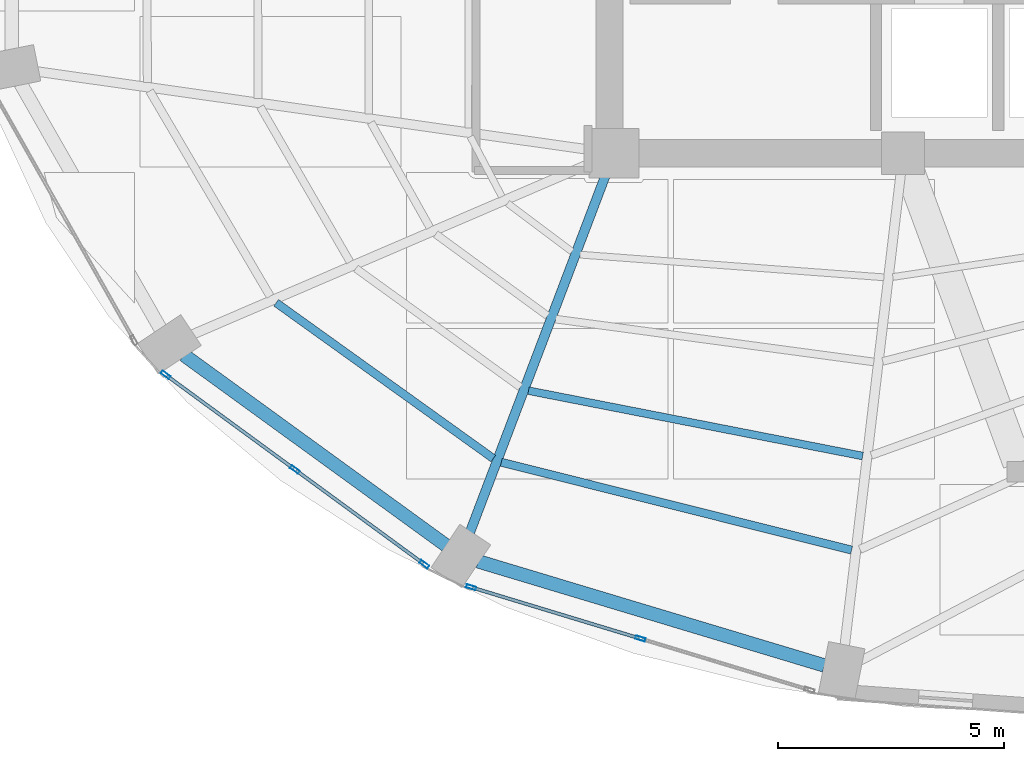
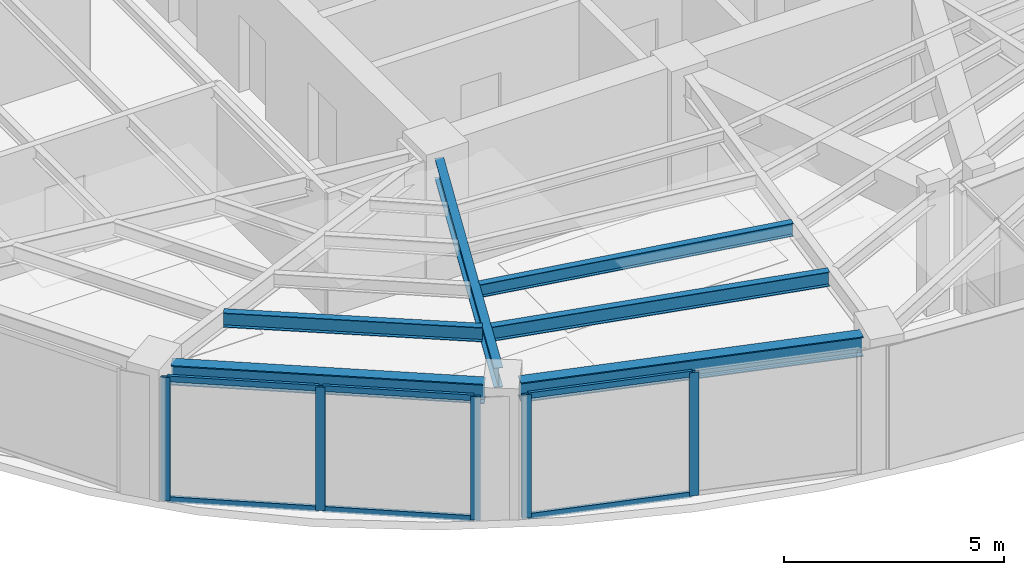
# One storey, part 2 of 20: 11 members, 6 beams, 2 elements without a shape of their own.
"""IFC4 building model written with IfcOpenShell, lengths in metres."""

from ifc_helpers import new_model, si_unit, direction, frame, origin, origin_2d, place, context, subcontext, project, spatial, hollow_rectangle, i_section, extrude, material, layer, layer_set, material_profile, profile_set, type_object, element, aggregate, save


model = new_model("IFC4")

# Units and contexts
model_context = context("Model", 3, precision=1e-05, world=origin(), true_north=direction((0.0, 1.0)))
body_context = subcontext(model_context, "Body", "Model", "MODEL_VIEW")
ifc_project = project(units=[si_unit("LENGTHUNIT", "METRE"), si_unit("AREAUNIT", "SQUARE_METRE"), si_unit("VOLUMEUNIT", "CUBIC_METRE"), si_unit("PLANEANGLEUNIT", "RADIAN"), si_unit("MASSUNIT", "GRAM", prefix="KILO")], contexts=[model_context])

# Site, building, storey
site_placement = place(None, origin())
site = spatial("IfcSite", under=ifc_project, at=site_placement, CompositionType="ELEMENT")
building_placement = place(site_placement, origin())
building = spatial("IfcBuilding", under=site, at=building_placement, Name="Lazwardi Medical Tower", CompositionType="ELEMENT")
storey_placement = place(building_placement, frame((0.0, 0.0, 156.528076171875)))
storey = spatial("IfcBuildingStorey", under=building, at=storey_placement, Name="L40", CompositionType="ELEMENT", Elevation=156.528076171875)

# Beams
ifc_material_1 = material(Name="Steel S355", Category="steel")
ifc_material_profile_1 = material_profile(ifc_material_1, i_section(OverallWidth=0.300048828125, OverallDepth=0.550048828125, WebThickness=0.014892578125, FlangeThickness=0.029052734375, at=origin_2d()), Name="HEB 550")
ifc_profile_set_1 = profile_set([ifc_material_profile_1], Name="Steel S355")
beam_type_1 = type_object("IfcBeamType", Name="BM-RB-Z3", PredefinedType="BEAM", material=ifc_profile_set_1)
beam_1_placement = place(storey_placement, frame((16.88818359375, 15.93408203125, 3.15283203125), z_axis=(0.809127570774, -0.587633026824, 0.0), x_axis=(0.587633026824, 0.809127570774, 0.0)))
element("IfcBeam", 1, at=beam_1_placement, inside=storey, type_object=beam_type_1, Name="Ring beam RB-04 B14 L40", PredefinedType="BEAM", context=body_context, shape_type="SweptSolid", body=[
    extrude(i_section(OverallWidth=0.300048828125, OverallDepth=0.550048828125, WebThickness=0.014892578125, FlangeThickness=0.029052734375, at=origin_2d()), origin(), (0.0, 0.0, 1.0), 7.170166015625),
])
beam_2_placement = place(storey_placement, frame((23.396484375, 11.37060546875, 3.15283203125), z_axis=(0.957616873483, -0.288045002771, 0.0), x_axis=(0.288045002771, 0.957616873483, 0.0)))
element("IfcBeam", 2, at=beam_2_placement, inside=storey, type_object=beam_type_1, Name="Ring beam RB-04 B15 L40", PredefinedType="BEAM", context=body_context, shape_type="SweptSolid", body=[
    extrude(i_section(OverallWidth=0.300048828125, OverallDepth=0.550048828125, WebThickness=0.014892578125, FlangeThickness=0.029052734375, at=origin_2d()), origin(), (0.0, 0.0, 1.0), 7.99951171875),
])
ifc_material_profile_2 = material_profile(ifc_material_1, i_section(OverallWidth=0.2099609375, OverallDepth=0.550048828125, WebThickness=0.010986328125, FlangeThickness=0.01708984375, at=origin_2d()), Name="IPE 550")
ifc_profile_set_2 = profile_set([ifc_material_profile_2], Name="Steel S355")
beam_type_2 = type_object("IfcBeamType", Name="BM-RG-W2", PredefinedType="BEAM", material=ifc_profile_set_2)
beam_3_placement = place(storey_placement, frame((23.21240234375, 12.00927734375, 3.15283203125), z_axis=(0.355126771712, 0.934818151307, 0.0), x_axis=(-0.934818151307, 0.355126771712, 0.0)))
element("IfcBeam", 3, at=beam_3_placement, inside=storey, type_object=beam_type_2, Name="Radial girder RG-03 R15 L40", PredefinedType="BEAM", context=body_context, shape_type="SweptSolid", body=[
    extrude(i_section(OverallWidth=0.2099609375, OverallDepth=0.550048828125, WebThickness=0.010986328125, FlangeThickness=0.01708984375, at=origin_2d()), origin(), (0.0, 0.0, 1.0), 8.44091796875),
])
ifc_material_profile_3 = material_profile(ifc_material_1, i_section(OverallWidth=0.179931640625, OverallDepth=0.39990234375, WebThickness=0.008544921875, FlangeThickness=0.013427734375, at=origin_2d()), Name="IPE 400")
ifc_profile_set_3 = profile_set([ifc_material_profile_3], Name="Steel S355")
beam_type_3 = type_object("IfcBeamType", Name="BM-SJ-01", PredefinedType="JOIST", material=ifc_profile_set_3)
beam_4_placement = place(storey_placement, frame((18.926025390625, 17.091796875, 3.22802734375), z_axis=(0.812602017757, -0.582818977675, 0.0), x_axis=(0.582818977675, 0.812602017757, 0.0)))
element("IfcBeam", 4, at=beam_4_placement, inside=storey, type_object=beam_type_3, Name="Secondary joist SJ-01 R1 B14 L40", PredefinedType="JOIST", context=body_context, shape_type="SweptSolid", body=[
    extrude(i_section(OverallWidth=0.179931640625, OverallDepth=0.39990234375, WebThickness=0.008544921875, FlangeThickness=0.013427734375, at=origin_2d()), origin(), (0.0, 0.0, 1.0), 5.91259765625),
])
beam_5_placement = place(storey_placement, frame((23.908935546875, 13.56298828125, 3.22802734375), z_axis=(0.969933596942, -0.243369713652, 0.0), x_axis=(0.243369713652, 0.969933596942, 0.0)))
element("IfcBeam", 5, at=beam_5_placement, inside=storey, type_object=beam_type_3, Name="Secondary joist SJ-01 R1 B15 L40", PredefinedType="JOIST", context=body_context, shape_type="SweptSolid", body=[
    extrude(i_section(OverallWidth=0.179931640625, OverallDepth=0.39990234375, WebThickness=0.008544921875, FlangeThickness=0.013427734375, at=origin_2d()), origin(), (0.0, 0.0, 1.0), 7.98828125),
])
ifc_material_profile_4 = material_profile(ifc_material_1, i_section(OverallWidth=0.169921875, OverallDepth=0.360107421875, WebThickness=0.008056640625, FlangeThickness=0.0126953125, at=origin_2d()), Name="IPE 360")
ifc_profile_set_4 = profile_set([ifc_material_profile_4], Name="Steel S355")
beam_type_4 = type_object("IfcBeamType", Name="BM-SJ-02", PredefinedType="JOIST", material=ifc_profile_set_4)
beam_6_placement = place(storey_placement, frame((24.509521484375, 15.146484375, 3.247802734375), z_axis=(0.98141534692, -0.191895588353, 0.0), x_axis=(0.191895588353, 0.98141534692, 0.0)))
element("IfcBeam", 6, at=beam_6_placement, inside=storey, type_object=beam_type_4, Name="Secondary joist SJ-02 R2 B15 L40", PredefinedType="JOIST", context=body_context, shape_type="SweptSolid", body=[
    extrude(i_section(OverallWidth=0.169921875, OverallDepth=0.360107421875, WebThickness=0.008056640625, FlangeThickness=0.0126953125, at=origin_2d()), origin(), (0.0, 0.0, 1.0), 7.534423828125),
])

# Curtain wall, members
ifc_material_2 = material(Name="Anodised bronze aluminium and solar control glazing", Category="aluminium")
ifc_layer = layer(ifc_material_2, 0.195068359375)
ifc_layer_set = layer_set([ifc_layer], Name="Anodised bronze aluminium and solar control glazing")
curtain_wall_type = type_object("IfcCurtainWallType", Name="CW-SYS-03", PredefinedType="NOTDEFINED", material=ifc_layer_set)
curtain_wall_1_placement = place(storey_placement, origin())
curtain_wall_1 = element("IfcCurtainWall", 7, at=curtain_wall_1_placement, inside=storey, type_object=curtain_wall_type, Name="L40 Unitised bronze curtain wall CW-03", PredefinedType="NOTDEFINED")
ifc_material_3 = material(Name="Anodised bronze aluminium", Category="aluminium")
ifc_material_profile_5 = material_profile(ifc_material_3, hollow_rectangle(XDim=0.074951171875, YDim=0.219970703125, WallThickness=0.00390625, at=origin_2d()), Name="ALU-MULLION 220x75x4")
ifc_profile_set_5 = profile_set([ifc_material_profile_5], Name="Anodised bronze aluminium")
member_type_1 = type_object("IfcMemberType", Name="CW-MUL-01", PredefinedType="MULLION", material=ifc_profile_set_5)
member_1_placement = place(storey_placement, frame((16.480224609375, 15.4970703125, 0.0), z_axis=(0.0, 0.0, 1.0), x_axis=(0.590833862635, 0.806793249082, 0.0)))
member_1 = element("IfcMember", 8, at=member_1_placement, type_object=member_type_1, Name="CW-03 mullion 1", PredefinedType="MULLION", context=body_context, shape_type="SweptSolid", body=[
    extrude(hollow_rectangle(XDim=0.074951171875, YDim=0.219970703125, WallThickness=0.00390625, at=origin_2d()), origin(), (0.0, 0.0, 1.0), 3.427978515625),
])
member_2_placement = place(storey_placement, frame((19.34228515625, 13.401123046875, 0.0), z_axis=(0.0, 0.0, 1.0), x_axis=(0.590833862635, 0.806793249082, 0.0)))
member_2 = element("IfcMember", 9, at=member_2_placement, type_object=member_type_1, Name="CW-03 mullion 2", PredefinedType="MULLION", context=body_context, shape_type="SweptSolid", body=[
    extrude(hollow_rectangle(XDim=0.074951171875, YDim=0.219970703125, WallThickness=0.00390625, at=origin_2d()), origin(), (0.0, 0.0, 1.0), 3.427978515625),
])
member_3_placement = place(storey_placement, frame((22.204345703125, 11.30517578125, 0.0), z_axis=(0.0, 0.0, 1.0), x_axis=(0.590833862635, 0.806793249082, 0.0)))
member_3 = element("IfcMember", 10, at=member_3_placement, type_object=member_type_1, Name="CW-03 mullion 3", PredefinedType="MULLION", context=body_context, shape_type="SweptSolid", body=[
    extrude(hollow_rectangle(XDim=0.074951171875, YDim=0.219970703125, WallThickness=0.00390625, at=origin_2d()), origin(), (0.0, 0.0, 1.0), 3.427978515625),
])

curtain_wall_2_placement = place(storey_placement, origin())
curtain_wall_2 = element("IfcCurtainWall", 11, at=curtain_wall_2_placement, inside=storey, type_object=curtain_wall_type, Name="L40 Unitised bronze curtain wall CW-03", PredefinedType="NOTDEFINED")
member_4_placement = place(storey_placement, frame((23.241943359375, 10.796630859375, 0.0), z_axis=(0.0, 0.0, 1.0), x_axis=(0.290280785441, 0.956941516292, 0.0)))
member_4 = element("IfcMember", 12, at=member_4_placement, type_object=member_type_1, Name="CW-03 mullion 1", PredefinedType="MULLION", context=body_context, shape_type="SweptSolid", body=[
    extrude(hollow_rectangle(XDim=0.074951171875, YDim=0.219970703125, WallThickness=0.00390625, at=origin_2d()), origin(), (0.0, 0.0, 1.0), 3.427978515625),
])
member_5_placement = place(storey_placement, frame((26.98486328125, 9.661376953125, 0.0), z_axis=(0.0, 0.0, 1.0), x_axis=(0.290280785441, 0.956941516292, 0.0)))
member_5 = element("IfcMember", 13, at=member_5_placement, type_object=member_type_1, Name="CW-03 mullion 2", PredefinedType="MULLION", context=body_context, shape_type="SweptSolid", body=[
    extrude(hollow_rectangle(XDim=0.074951171875, YDim=0.219970703125, WallThickness=0.00390625, at=origin_2d()), origin(), (0.0, 0.0, 1.0), 3.427978515625),
])

# Member
ifc_material_profile_6 = material_profile(ifc_material_3, hollow_rectangle(XDim=0.074951171875, YDim=0.159912109375, WallThickness=0.00390625, at=origin_2d()), Name="ALU-TRANSOM 160x75x4")
ifc_profile_set_6 = profile_set([ifc_material_profile_6], Name="Anodised bronze aluminium")
member_type_2 = type_object("IfcMemberType", Name="CW-TRN-01", PredefinedType="USERDEFINED", material=ifc_profile_set_6)
member_6_placement = place(storey_placement, frame((16.510498046875, 15.474853515625, 0.037353515625), z_axis=(0.806807161185, -0.590814864962, 0.0), x_axis=(0.590814864962, 0.806807161185, 0.0)))
member_6 = element("IfcMember", 14, at=member_6_placement, type_object=member_type_2, Name="CW-03 transom 1.1", ObjectType="TRANSOM", PredefinedType="USERDEFINED", context=body_context, shape_type="SweptSolid", body=[
    extrude(hollow_rectangle(XDim=0.074951171875, YDim=0.159912109375, WallThickness=0.00390625, at=origin_2d()), origin(), (0.0, 0.0, 1.0), 3.472412109375),
])

member_7_placement = place(storey_placement, frame((16.510498046875, 15.474853515625, 3.390380859375), z_axis=(0.806807161185, -0.590814864962, 0.0), x_axis=(0.590814864962, 0.806807161185, 0.0)))
member_7 = element("IfcMember", 15, at=member_7_placement, type_object=member_type_2, Name="CW-03 transom 1.2", ObjectType="TRANSOM", PredefinedType="USERDEFINED", context=body_context, shape_type="SweptSolid", body=[
    extrude(hollow_rectangle(XDim=0.074951171875, YDim=0.159912109375, WallThickness=0.00390625, at=origin_2d()), origin(), (0.0, 0.0, 1.0), 3.472412109375),
])

member_8_placement = place(storey_placement, frame((19.37255859375, 13.37890625, 0.037353515625), z_axis=(0.806807161185, -0.590814864962, 0.0), x_axis=(0.590814864962, 0.806807161185, 0.0)))
member_8 = element("IfcMember", 16, at=member_8_placement, type_object=member_type_2, Name="CW-03 transom 2.1", ObjectType="TRANSOM", PredefinedType="USERDEFINED", context=body_context, shape_type="SweptSolid", body=[
    extrude(hollow_rectangle(XDim=0.074951171875, YDim=0.159912109375, WallThickness=0.00390625, at=origin_2d()), origin(), (0.0, 0.0, 1.0), 3.472412109375),
])

member_9_placement = place(storey_placement, frame((19.37255859375, 13.37890625, 3.390380859375), z_axis=(0.806807161185, -0.590814864962, 0.0), x_axis=(0.590814864962, 0.806807161185, 0.0)))
member_9 = element("IfcMember", 17, at=member_9_placement, type_object=member_type_2, Name="CW-03 transom 2.2", ObjectType="TRANSOM", PredefinedType="USERDEFINED", context=body_context, shape_type="SweptSolid", body=[
    extrude(hollow_rectangle(XDim=0.074951171875, YDim=0.159912109375, WallThickness=0.00390625, at=origin_2d()), origin(), (0.0, 0.0, 1.0), 3.472412109375),
])

aggregate(curtain_wall_1, [member_1, member_2, member_3, member_6, member_7, member_8, member_9])

member_10_placement = place(storey_placement, frame((23.27783203125, 10.785888671875, 0.037353515625), z_axis=(0.956930154175, -0.290318239233, 0.0), x_axis=(0.290318239233, 0.956930154175, 0.0)))
member_10 = element("IfcMember", 18, at=member_10_placement, type_object=member_type_2, Name="CW-03 transom 1.1", ObjectType="TRANSOM", PredefinedType="USERDEFINED", context=body_context, shape_type="SweptSolid", body=[
    extrude(hollow_rectangle(XDim=0.074951171875, YDim=0.159912109375, WallThickness=0.00390625, at=origin_2d()), origin(), (0.0, 0.0, 1.0), 3.83642578125),
])

member_11_placement = place(storey_placement, frame((23.27783203125, 10.785888671875, 3.390380859375), z_axis=(0.956930154175, -0.290318239233, 0.0), x_axis=(0.290318239233, 0.956930154175, 0.0)))
member_11 = element("IfcMember", 19, at=member_11_placement, type_object=member_type_2, Name="CW-03 transom 1.2", ObjectType="TRANSOM", PredefinedType="USERDEFINED", context=body_context, shape_type="SweptSolid", body=[
    extrude(hollow_rectangle(XDim=0.074951171875, YDim=0.159912109375, WallThickness=0.00390625, at=origin_2d()), origin(), (0.0, 0.0, 1.0), 3.83642578125),
])

aggregate(curtain_wall_2, [member_4, member_5, member_10, member_11])

save(model, "model.ifc")
